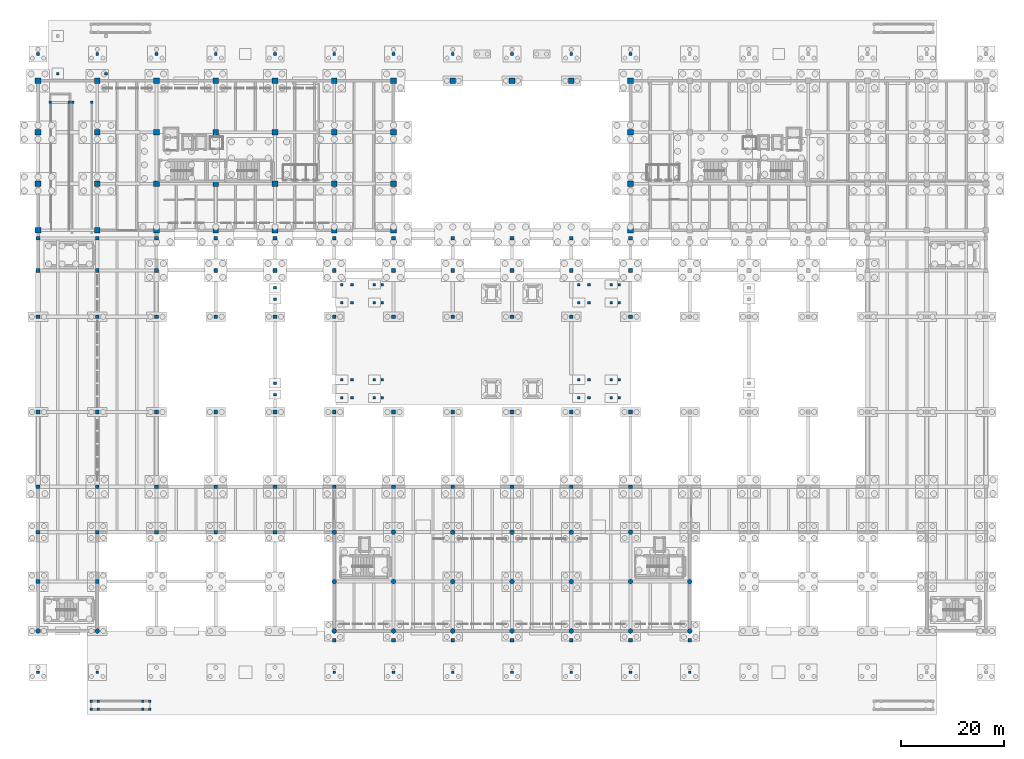
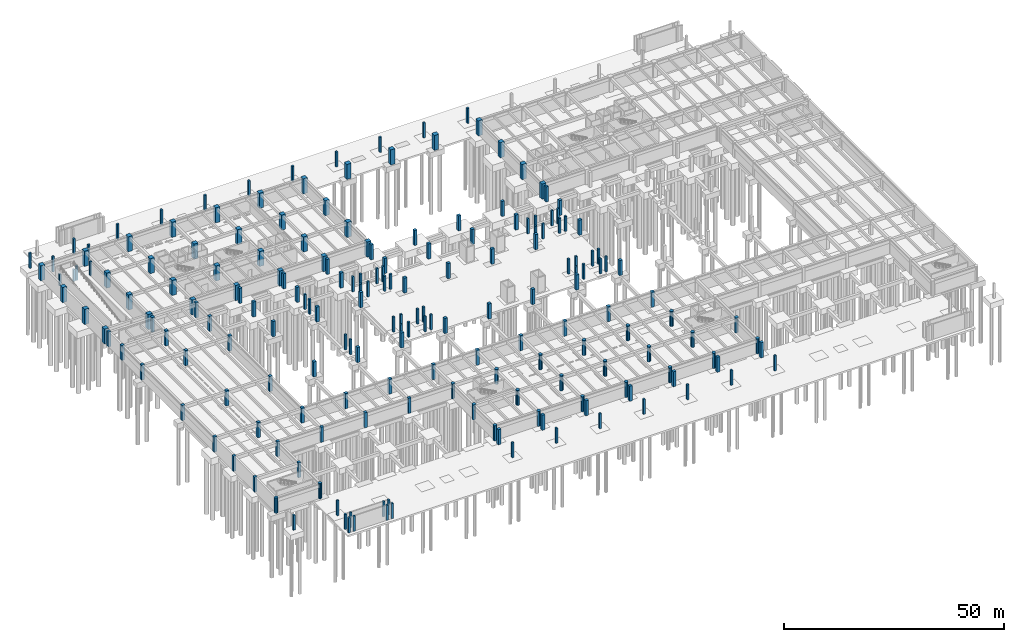
# One storey, part 8 of 28: 196 columns.
"""IFC4 building model written with IfcOpenShell, lengths in metres."""

from ifc_helpers import new_model, si_unit, direction, frame, origin, origin_2d, place, context, subcontext, project, spatial, rectangle, circle, extrude, material, material_profile, profile_set, type_object, element, save


model = new_model("IFC4")

# Units and contexts
model_context = context("Model", 3, precision=1e-05, world=origin(), true_north=direction((0.0, 1.0)))
body_context = subcontext(model_context, "Body", "Model", "MODEL_VIEW")
ifc_project = project(units=[si_unit("LENGTHUNIT", "METRE"), si_unit("AREAUNIT", "SQUARE_METRE"), si_unit("VOLUMEUNIT", "CUBIC_METRE"), si_unit("PLANEANGLEUNIT", "RADIAN"), si_unit("MASSUNIT", "GRAM", prefix="KILO")], contexts=[model_context])

# Site, building, storey
site_placement = place(None, origin())
site = spatial("IfcSite", under=ifc_project, at=site_placement, CompositionType="ELEMENT")
building_placement = place(site_placement, origin())
building = spatial("IfcBuilding", under=site, at=building_placement, Name="Ologun Quay Terminus", CompositionType="ELEMENT")
storey_placement = place(building_placement, frame((0.0, 0.0, -8.39990234375)))
storey = spatial("IfcBuildingStorey", under=building, at=storey_placement, Name="B02", CompositionType="ELEMENT", Elevation=-8.39990234375)

# Columns
ifc_material_1 = material(Name="Concrete C40/50", Category="concrete")
ifc_material_profile_1 = material_profile(ifc_material_1, rectangle(XDim=0.5, YDim=0.5, at=origin_2d()), Name="RC 500x500")
ifc_profile_set_1 = profile_set([ifc_material_profile_1], Name="Concrete C40/50")
column_type_1 = type_object("IfcColumnType", Name="Canopy Edge Column 500x500", PredefinedType="COLUMN", material=ifc_profile_set_1)
for number, where, z_axis, x_axis, name in (
    (1, (0.0, 0.0, 0.0), (0.0, 0.0, 1.0), (1.0, 0.0, 0.0), "C8 Column 1/A B02"),
    (2, (0.0, 120.0, 0.0), (0.0, 0.0, 1.0), (1.0, 0.0, 0.0), "C8 Column 1/L B02"),
    (3, (11.5, 0.0, 0.0), (0.0, 0.0, 1.0), (1.0, 0.0, 0.0), "C8 Column 2/A B02"),
    (4, (11.5, 120.0, 0.0), (0.0, 0.0, 1.0), (1.0, 0.0, 0.0), "C8 Column 2/L B02"),
    (5, (23.0, 120.0, 0.0), (0.0, 0.0, 1.0), (1.0, 0.0, 0.0), "C8 Column 3/L B02"),
    (6, (34.5, 120.0, 0.0), (0.0, 0.0, 1.0), (1.0, 0.0, 0.0), "C8 Column 4/L B02"),
    (7, (46.0, 120.0, 0.0), (0.0, 0.0, 1.0), (1.0, 0.0, 0.0), "C8 Column 5/L B02"),
    (8, (57.5, 0.0, 0.0), (0.0, 0.0, 1.0), (1.0, 0.0, 0.0), "C8 Column 6/A B02"),
    (9, (57.5, 120.0, 0.0), (0.0, 0.0, 1.0), (1.0, 0.0, 0.0), "C8 Column 6/L B02"),
    (10, (69.0, 0.0, 0.0), (0.0, 0.0, 1.0), (1.0, 0.0, 0.0), "C8 Column 7/A B02"),
    (11, (69.0, 120.0, 0.0), (0.0, 0.0, 1.0), (1.0, 0.0, 0.0), "C8 Column 7/L B02"),
    (12, (80.5, 0.0, 0.0), (0.0, 0.0, 1.0), (1.0, 0.0, 0.0), "C8 Column 8/A B02"),
    (13, (80.5, 120.0, 0.0), (0.0, 0.0, 1.0), (1.0, 0.0, 0.0), "C8 Column 8/L B02"),
    (14, (92.0, 0.0, 0.0), (0.0, 0.0, 1.0), (1.0, 0.0, 0.0), "C8 Column 9/A B02"),
    (15, (92.0, 120.0, 0.0), (0.0, 0.0, 1.0), (1.0, 0.0, 0.0), "C8 Column 9/L B02"),
    (16, (103.5, 0.0, 0.0), (0.0, 0.0, 1.0), (1.0, 0.0, 0.0), "C8 Column 10/A B02"),
    (17, (103.5, 120.0, 0.0), (0.0, 0.0, 1.0), (1.0, 0.0, 0.0), "C8 Column 10/L B02"),
    (18, (115.0, 0.0, 0.0), (0.0, 0.0, 1.0), (1.0, 0.0, 0.0), "C8 Column 11/A B02"),
    (19, (115.0, 120.0, 0.0), (0.0, 0.0, 1.0), (1.0, 0.0, 0.0), "C8 Column 11/L B02"),
    (20, (126.5, 0.0, 0.0), (0.0, 0.0, 1.0), (1.0, 0.0, 0.0), "C8 Column 12/A B02"),
    (21, (10.35009765625, -7.199951171875, 0.0), (0.0, 0.0, 1.0), (1.0, 0.0, 0.0), "C8 Ramp Landing Column 5WS B02"),
    (22, (10.35009765625, -5.60009765625, 0.0), (0.0, 0.0, 1.0), (1.0, 0.0, 0.0), "C8 Ramp Landing Column 5WN B02"),
    (23, (11.64990234375, -7.199951171875, 0.0), (0.0, 0.0, 1.0), (1.0, 0.0, 0.0), "C8 Ramp Landing Column 5ES B02"),
    (24, (11.64990234375, -5.60009765625, 0.0), (0.0, 0.0, 1.0), (1.0, 0.0, 0.0), "C8 Ramp Landing Column 5EN B02"),
    (25, (20.35009765625, -7.199951171875, 0.0), (0.0, 0.0, 1.0), (1.0, 0.0, 0.0), "C8 Ramp Landing Column 6WS B02"),
    (26, (20.35009765625, -5.60009765625, 0.0), (0.0, 0.0, 1.0), (1.0, 0.0, 0.0), "C8 Ramp Landing Column 6WN B02"),
    (27, (21.64990234375, -7.199951171875, 0.0), (0.0, 0.0, 1.0), (1.0, 0.0, 0.0), "C8 Ramp Landing Column 6ES B02"),
    (28, (21.64990234375, -5.60009765625, 0.0), (0.0, 0.0, 1.0), (1.0, 0.0, 0.0), "C8 Ramp Landing Column 6EN B02"),
    (29, (3.800048828125, 116.199951171875, 0.0), (0.0, 0.0, 1.0), (1.0, 0.0, 0.0), "C8 Driveway Apron Column 11 B02"),
    (30, (13.199951171875, 116.199951171875, 0.0), (0.0, 0.0, 1.0), (1.0, 0.0, 0.0), "C8 Driveway Apron Column 21 B02"),
):
    element("IfcColumn", number, at=place(storey_placement, frame(where, z_axis=z_axis, x_axis=x_axis)), inside=storey, type_object=column_type_1, Name=name, PredefinedType="COLUMN", context=body_context, shape_type="SweptSolid", body=[
        extrude(rectangle(XDim=0.5, YDim=0.5, at=origin_2d()), origin(), (0.0, 0.0, 1.0), 4.199951171875),
    ])
for number, where, z_axis, x_axis, name in (
    (31, (2.35009765625, 110.60009765625, 0.0), (0.0, 0.0, 1.0), (1.0, 0.0, 0.0), "C8 Ramp Header Column B02-1"),
    (32, (6.050048828125, 110.60009765625, 0.0), (0.0, 0.0, 1.0), (1.0, 0.0, 0.0), "C8 Ramp Header Column B02-2"),
):
    element("IfcColumn", number, at=place(storey_placement, frame(where, z_axis=z_axis, x_axis=x_axis)), inside=storey, type_object=column_type_1, Name=name, PredefinedType="COLUMN", context=body_context, shape_type="SweptSolid", body=[
        extrude(rectangle(XDim=0.5, YDim=0.5, at=origin_2d()), origin(), (0.0, 0.0, 1.0), 3.219970703125),
    ])
for number, where, z_axis, x_axis, name in (
    (33, (6.75, 110.60009765625, 0.0), (0.0, 0.0, 1.0), (1.0, 0.0, 0.0), "C8 Ramp Header Lower Column 1"),
    (34, (10.449951171875, 110.60009765625, 0.0), (0.0, 0.0, 1.0), (1.0, 0.0, 0.0), "C8 Ramp Header Lower Column 2"),
):
    element("IfcColumn", number, at=place(storey_placement, frame(where, z_axis=z_axis, x_axis=x_axis)), inside=storey, type_object=column_type_1, Name=name, PredefinedType="COLUMN", context=body_context, shape_type="SweptSolid", body=[
        extrude(rectangle(XDim=0.5, YDim=0.5, at=origin_2d()), origin(), (0.0, 0.0, 1.0), 3.919921875),
    ])
for number, where, z_axis, x_axis, name in (
    (35, (58.949951171875, 53.25, 0.0), (0.0, 0.0, 1.0), (1.0, 0.0, 0.0), "C8 Platform Stair Substructure Column ST-P1-LS B02"),
    (36, (58.949951171875, 56.75, 0.0), (0.0, 0.0, 1.0), (1.0, 0.0, 0.0), "C8 Platform Stair Substructure Column ST-P1-LN B02"),
    (37, (60.949951171875, 53.25, 0.0), (0.0, 0.0, 1.0), (1.0, 0.0, 0.0), "C8 Platform Stair Substructure Column ST-P1-AS B02"),
    (38, (60.949951171875, 56.75, 0.0), (0.0, 0.0, 1.0), (1.0, 0.0, 0.0), "C8 Platform Stair Substructure Column ST-P1-AN B02"),
    (39, (65.300048828125, 53.25, 0.0), (0.0, 0.0, 1.0), (1.0, 0.0, 0.0), "C8 Platform Stair Substructure Column ST-P1-BS B02"),
    (40, (65.300048828125, 56.75, 0.0), (0.0, 0.0, 1.0), (1.0, 0.0, 0.0), "C8 Platform Stair Substructure Column ST-P1-BN B02"),
    (41, (66.85009765625, 53.25, 0.0), (0.0, 0.0, 1.0), (1.0, 0.0, 0.0), "C8 Platform Stair Substructure Column ST-P1-CS B02"),
    (42, (66.85009765625, 56.75, 0.0), (0.0, 0.0, 1.0), (1.0, 0.0, 0.0), "C8 Platform Stair Substructure Column ST-P1-CN B02"),
    (43, (104.949951171875, 53.25, 0.0), (0.0, 0.0, 1.0), (1.0, 0.0, 0.0), "C8 Platform Stair Substructure Column ST-P2-LS B02"),
    (44, (104.949951171875, 56.75, 0.0), (0.0, 0.0, 1.0), (1.0, 0.0, 0.0), "C8 Platform Stair Substructure Column ST-P2-LN B02"),
    (45, (106.949951171875, 53.25, 0.0), (0.0, 0.0, 1.0), (1.0, 0.0, 0.0), "C8 Platform Stair Substructure Column ST-P2-AS B02"),
    (46, (106.949951171875, 56.75, 0.0), (0.0, 0.0, 1.0), (1.0, 0.0, 0.0), "C8 Platform Stair Substructure Column ST-P2-AN B02"),
    (47, (111.300048828125, 53.25, 0.0), (0.0, 0.0, 1.0), (1.0, 0.0, 0.0), "C8 Platform Stair Substructure Column ST-P2-BS B02"),
    (48, (111.300048828125, 56.75, 0.0), (0.0, 0.0, 1.0), (1.0, 0.0, 0.0), "C8 Platform Stair Substructure Column ST-P2-BN B02"),
    (49, (112.85009765625, 53.25, 0.0), (0.0, 0.0, 1.0), (1.0, 0.0, 0.0), "C8 Platform Stair Substructure Column ST-P2-CS B02"),
    (50, (112.85009765625, 56.75, 0.0), (0.0, 0.0, 1.0), (1.0, 0.0, 0.0), "C8 Platform Stair Substructure Column ST-P2-CN B02"),
    (51, (58.949951171875, 71.75, 0.0), (0.0, 0.0, 1.0), (1.0, 0.0, 0.0), "C8 Platform Stair Substructure Column ST-P3-LS B02"),
    (52, (58.949951171875, 75.25, 0.0), (0.0, 0.0, 1.0), (1.0, 0.0, 0.0), "C8 Platform Stair Substructure Column ST-P3-LN B02"),
    (53, (60.949951171875, 71.75, 0.0), (0.0, 0.0, 1.0), (1.0, 0.0, 0.0), "C8 Platform Stair Substructure Column ST-P3-AS B02"),
    (54, (60.949951171875, 75.25, 0.0), (0.0, 0.0, 1.0), (1.0, 0.0, 0.0), "C8 Platform Stair Substructure Column ST-P3-AN B02"),
    (55, (65.300048828125, 71.75, 0.0), (0.0, 0.0, 1.0), (1.0, 0.0, 0.0), "C8 Platform Stair Substructure Column ST-P3-BS B02"),
    (56, (65.300048828125, 75.25, 0.0), (0.0, 0.0, 1.0), (1.0, 0.0, 0.0), "C8 Platform Stair Substructure Column ST-P3-BN B02"),
    (57, (66.85009765625, 71.75, 0.0), (0.0, 0.0, 1.0), (1.0, 0.0, 0.0), "C8 Platform Stair Substructure Column ST-P3-CS B02"),
    (58, (66.85009765625, 75.25, 0.0), (0.0, 0.0, 1.0), (1.0, 0.0, 0.0), "C8 Platform Stair Substructure Column ST-P3-CN B02"),
    (59, (104.949951171875, 71.75, 0.0), (0.0, 0.0, 1.0), (1.0, 0.0, 0.0), "C8 Platform Stair Substructure Column ST-P4-LS B02"),
    (60, (104.949951171875, 75.25, 0.0), (0.0, 0.0, 1.0), (1.0, 0.0, 0.0), "C8 Platform Stair Substructure Column ST-P4-LN B02"),
    (61, (106.949951171875, 71.75, 0.0), (0.0, 0.0, 1.0), (1.0, 0.0, 0.0), "C8 Platform Stair Substructure Column ST-P4-AS B02"),
    (62, (106.949951171875, 75.25, 0.0), (0.0, 0.0, 1.0), (1.0, 0.0, 0.0), "C8 Platform Stair Substructure Column ST-P4-AN B02"),
    (63, (111.300048828125, 71.75, 0.0), (0.0, 0.0, 1.0), (1.0, 0.0, 0.0), "C8 Platform Stair Substructure Column ST-P4-BS B02"),
    (64, (111.300048828125, 75.25, 0.0), (0.0, 0.0, 1.0), (1.0, 0.0, 0.0), "C8 Platform Stair Substructure Column ST-P4-BN B02"),
    (65, (112.85009765625, 71.75, 0.0), (0.0, 0.0, 1.0), (1.0, 0.0, 0.0), "C8 Platform Stair Substructure Column ST-P4-CS B02"),
    (66, (112.85009765625, 75.25, 0.0), (0.0, 0.0, 1.0), (1.0, 0.0, 0.0), "C8 Platform Stair Substructure Column ST-P4-CN B02"),
    (67, (46.0, 53.89990234375, 0.0), (0.0, 0.0, 1.0), (1.0, 0.0, 0.0), "C8 Concourse Trimmer Column 5-1 B02"),
    (68, (46.0, 56.10009765625, 0.0), (0.0, 0.0, 1.0), (1.0, 0.0, 0.0), "C8 Concourse Trimmer Column 5-2 B02"),
    (69, (46.0, 72.39990234375, 0.0), (0.0, 0.0, 1.0), (1.0, 0.0, 0.0), "C8 Concourse Trimmer Column 5-3 B02"),
    (70, (46.0, 74.60009765625, 0.0), (0.0, 0.0, 1.0), (1.0, 0.0, 0.0), "C8 Concourse Trimmer Column 5-4 B02"),
):
    element("IfcColumn", number, at=place(storey_placement, frame(where, z_axis=z_axis, x_axis=x_axis)), inside=storey, type_object=column_type_1, Name=name, PredefinedType="COLUMN", context=body_context, shape_type="SweptSolid", body=[
        extrude(rectangle(XDim=0.5, YDim=0.5, at=origin_2d()), origin(), (0.0, 0.0, 1.0), 4.199951171875),
    ])
ifc_material_2 = material(Name="Concrete C45/55", Category="concrete")
ifc_material_profile_2 = material_profile(ifc_material_2, rectangle(XDim=1.10009765625, YDim=1.10009765625, at=origin_2d()), Name="RC 1100x1100")
ifc_profile_set_2 = profile_set([ifc_material_profile_2], Name="Concrete C45/55")
column_type_2 = type_object("IfcColumnType", Name="Courtyard Wing Lower Column 1100x1100", PredefinedType="COLUMN", material=ifc_profile_set_2)
for number, where, z_axis, x_axis, name in (
    (71, (0.0, 85.800048828125, 0.0), (0.0, 0.0, 1.0), (1.0, 0.0, 0.0), "C1 Column 1/G2 B02"),
    (72, (0.0, 94.800048828125, 0.0), (0.0, 0.0, 1.0), (1.0, 0.0, 0.0), "C1 Column 1/H B02"),
    (73, (0.0, 104.800048828125, 0.0), (0.0, 0.0, 1.0), (1.0, 0.0, 0.0), "C1 Column 1/J B02"),
    (74, (0.0, 114.800048828125, 0.0), (0.0, 0.0, 1.0), (1.0, 0.0, 0.0), "C1 Column 1/K B02"),
    (75, (11.5, 85.800048828125, 0.0), (0.0, 0.0, 1.0), (1.0, 0.0, 0.0), "C1 Column 2/G2 B02"),
    (76, (11.5, 94.800048828125, 0.0), (0.0, 0.0, 1.0), (1.0, 0.0, 0.0), "C1 Column 2/H B02"),
    (77, (11.5, 104.800048828125, 0.0), (0.0, 0.0, 1.0), (1.0, 0.0, 0.0), "C1 Column 2/J B02"),
    (78, (11.5, 114.800048828125, 0.0), (0.0, 0.0, 1.0), (1.0, 0.0, 0.0), "C1 Column 2/K B02"),
    (79, (23.0, 85.800048828125, 0.0), (0.0, 0.0, 1.0), (1.0, 0.0, 0.0), "C1 Column 3/G2 B02"),
    (80, (23.0, 94.800048828125, 0.0), (0.0, 0.0, 1.0), (1.0, 0.0, 0.0), "C1 Column 3/H B02"),
    (81, (23.0, 104.800048828125, 0.0), (0.0, 0.0, 1.0), (1.0, 0.0, 0.0), "C1 Column 3/J B02"),
    (82, (23.0, 114.800048828125, 0.0), (0.0, 0.0, 1.0), (1.0, 0.0, 0.0), "C1 Column 3/K B02"),
    (83, (34.5, 85.800048828125, 0.0), (0.0, 0.0, 1.0), (1.0, 0.0, 0.0), "C1 Column 4/G2 B02"),
    (84, (34.5, 94.800048828125, 0.0), (0.0, 0.0, 1.0), (1.0, 0.0, 0.0), "C1 Column 4/H B02"),
    (85, (34.5, 104.800048828125, 0.0), (0.0, 0.0, 1.0), (1.0, 0.0, 0.0), "C1 Column 4/J B02"),
    (86, (34.5, 114.800048828125, 0.0), (0.0, 0.0, 1.0), (1.0, 0.0, 0.0), "C1 Column 4/K B02"),
    (87, (46.0, 85.800048828125, 0.0), (0.0, 0.0, 1.0), (1.0, 0.0, 0.0), "C1 Column 5/G2 B02"),
    (88, (46.0, 94.800048828125, 0.0), (0.0, 0.0, 1.0), (1.0, 0.0, 0.0), "C1 Column 5/H B02"),
    (89, (46.0, 104.800048828125, 0.0), (0.0, 0.0, 1.0), (1.0, 0.0, 0.0), "C1 Column 5/J B02"),
    (90, (46.0, 114.800048828125, 0.0), (0.0, 0.0, 1.0), (1.0, 0.0, 0.0), "C1 Column 5/K B02"),
    (91, (57.5, 85.800048828125, 0.0), (0.0, 0.0, 1.0), (1.0, 0.0, 0.0), "C1 Column 6/G2 B02"),
    (92, (57.5, 94.800048828125, 0.0), (0.0, 0.0, 1.0), (1.0, 0.0, 0.0), "C1 Column 6/H B02"),
    (93, (57.5, 104.800048828125, 0.0), (0.0, 0.0, 1.0), (1.0, 0.0, 0.0), "C1 Column 6/J B02"),
    (94, (57.5, 114.800048828125, 0.0), (0.0, 0.0, 1.0), (1.0, 0.0, 0.0), "C1 Column 6/K B02"),
    (95, (69.0, 85.800048828125, 0.0), (0.0, 0.0, 1.0), (1.0, 0.0, 0.0), "C1 Column 7/G2 B02"),
    (96, (69.0, 94.800048828125, 0.0), (0.0, 0.0, 1.0), (1.0, 0.0, 0.0), "C1 Column 7/H B02"),
    (97, (69.0, 104.800048828125, 0.0), (0.0, 0.0, 1.0), (1.0, 0.0, 0.0), "C1 Column 7/J B02"),
    (98, (69.0, 114.800048828125, 0.0), (0.0, 0.0, 1.0), (1.0, 0.0, 0.0), "C1 Column 7/K B02"),
    (99, (115.0, 85.800048828125, 0.0), (0.0, 0.0, 1.0), (1.0, 0.0, 0.0), "C1 Column 11/G2 B02"),
    (100, (115.0, 94.800048828125, 0.0), (0.0, 0.0, 1.0), (1.0, 0.0, 0.0), "C1 Column 11/H B02"),
    (101, (115.0, 104.800048828125, 0.0), (0.0, 0.0, 1.0), (1.0, 0.0, 0.0), "C1 Column 11/J B02"),
    (102, (115.0, 114.800048828125, 0.0), (0.0, 0.0, 1.0), (1.0, 0.0, 0.0), "C1 Column 11/K B02"),
    (103, (80.5, 114.800048828125, 0.0), (0.0, 0.0, 1.0), (1.0, 0.0, 0.0), "C1 Colonnade Substructure Column 8/K B02"),
    (104, (92.0, 114.800048828125, 0.0), (0.0, 0.0, 1.0), (1.0, 0.0, 0.0), "C1 Colonnade Substructure Column 9/K B02"),
    (105, (103.5, 114.800048828125, 0.0), (0.0, 0.0, 1.0), (1.0, 0.0, 0.0), "C1 Colonnade Substructure Column 10/K B02"),
):
    element("IfcColumn", number, at=place(storey_placement, frame(where, z_axis=z_axis, x_axis=x_axis)), inside=storey, type_object=column_type_2, Name=name, PredefinedType="COLUMN", context=body_context, shape_type="SweptSolid", body=[
        extrude(rectangle(XDim=1.10009765625, YDim=1.10009765625, at=origin_2d()), origin(), (0.0, 0.0, 1.0), 4.199951171875),
    ])
ifc_material_3 = material(Name="Concrete C45/55", Category="concrete")
ifc_material_profile_3 = material_profile(ifc_material_3, rectangle(XDim=0.75, YDim=0.75, at=origin_2d()), Name="RC 750x750")
ifc_profile_set_3 = profile_set([ifc_material_profile_3], Name="Concrete C45/55")
column_type_3 = type_object("IfcColumnType", Name="Station Arch Pier Stem 750x750", PredefinedType="COLUMN", material=ifc_profile_set_3)
for number, where, z_axis, x_axis, name in (
    (106, (0.0, 36.0, 0.0), (0.0, 0.0, 1.0), (1.0, 0.0, 0.0), "C5 Column 1/E B02"),
    (107, (0.0, 78.0, 0.0), (0.0, 0.0, 1.0), (1.0, 0.0, 0.0), "C5 Column 1/F B02"),
    (108, (11.5, 36.0, 0.0), (0.0, 0.0, 1.0), (1.0, 0.0, 0.0), "C5 Column 2/E B02"),
    (109, (11.5, 78.0, 0.0), (0.0, 0.0, 1.0), (1.0, 0.0, 0.0), "C5 Column 2/F B02"),
    (110, (23.0, 36.0, 0.0), (0.0, 0.0, 1.0), (1.0, 0.0, 0.0), "C5 Column 3/E B02"),
    (111, (23.0, 78.0, 0.0), (0.0, 0.0, 1.0), (1.0, 0.0, 0.0), "C5 Column 3/F B02"),
    (112, (34.5, 36.0, 0.0), (0.0, 0.0, 1.0), (1.0, 0.0, 0.0), "C5 Column 4/E B02"),
    (113, (34.5, 78.0, 0.0), (0.0, 0.0, 1.0), (1.0, 0.0, 0.0), "C5 Column 4/F B02"),
    (114, (46.0, 36.0, 0.0), (0.0, 0.0, 1.0), (1.0, 0.0, 0.0), "C5 Column 5/E B02"),
    (115, (46.0, 78.0, 0.0), (0.0, 0.0, 1.0), (1.0, 0.0, 0.0), "C5 Column 5/F B02"),
    (116, (57.5, 36.0, 0.0), (0.0, 0.0, 1.0), (1.0, 0.0, 0.0), "C5 Column 6/E B02"),
    (117, (57.5, 78.0, 0.0), (0.0, 0.0, 1.0), (1.0, 0.0, 0.0), "C5 Column 6/F B02"),
    (118, (69.0, 36.0, 0.0), (0.0, 0.0, 1.0), (1.0, 0.0, 0.0), "C5 Column 7/E B02"),
    (119, (69.0, 78.0, 0.0), (0.0, 0.0, 1.0), (1.0, 0.0, 0.0), "C5 Column 7/F B02"),
    (120, (80.5, 36.0, 0.0), (0.0, 0.0, 1.0), (1.0, 0.0, 0.0), "C5 Column 8/E B02"),
    (121, (80.5, 78.0, 0.0), (0.0, 0.0, 1.0), (1.0, 0.0, 0.0), "C5 Column 8/F B02"),
    (122, (92.0, 36.0, 0.0), (0.0, 0.0, 1.0), (1.0, 0.0, 0.0), "C5 Column 9/E B02"),
    (123, (92.0, 78.0, 0.0), (0.0, 0.0, 1.0), (1.0, 0.0, 0.0), "C5 Column 9/F B02"),
    (124, (103.5, 36.0, 0.0), (0.0, 0.0, 1.0), (1.0, 0.0, 0.0), "C5 Column 10/E B02"),
    (125, (103.5, 78.0, 0.0), (0.0, 0.0, 1.0), (1.0, 0.0, 0.0), "C5 Column 10/F B02"),
    (126, (115.0, 36.0, 0.0), (0.0, 0.0, 1.0), (1.0, 0.0, 0.0), "C5 Column 11/E B02"),
    (127, (115.0, 78.0, 0.0), (0.0, 0.0, 1.0), (1.0, 0.0, 0.0), "C5 Column 11/F B02"),
    (128, (0.0, 50.5, 0.0), (0.0, 0.0, 1.0), (1.0, 0.0, 0.0), "C5 Track Substructure Column 1-Y50 B02"),
    (129, (0.0, 69.0, 0.0), (0.0, 0.0, 1.0), (1.0, 0.0, 0.0), "C5 Track Substructure Column 1-Y69 B02"),
    (130, (11.5, 50.5, 0.0), (0.0, 0.0, 1.0), (1.0, 0.0, 0.0), "C5 Track Substructure Column 2-Y50 B02"),
    (131, (11.5, 69.0, 0.0), (0.0, 0.0, 1.0), (1.0, 0.0, 0.0), "C5 Track Substructure Column 2-Y69 B02"),
    (132, (23.0, 50.5, 0.0), (0.0, 0.0, 1.0), (1.0, 0.0, 0.0), "C5 Track Substructure Column 3-Y50 B02"),
    (133, (23.0, 69.0, 0.0), (0.0, 0.0, 1.0), (1.0, 0.0, 0.0), "C5 Track Substructure Column 3-Y69 B02"),
    (134, (34.5, 50.5, 0.0), (0.0, 0.0, 1.0), (1.0, 0.0, 0.0), "C5 Track Substructure Column 4-Y50 B02"),
    (135, (34.5, 69.0, 0.0), (0.0, 0.0, 1.0), (1.0, 0.0, 0.0), "C5 Track Substructure Column 4-Y69 B02"),
    (136, (46.0, 50.5, 0.0), (0.0, 0.0, 1.0), (1.0, 0.0, 0.0), "C5 Track Substructure Column 5-Y50 B02"),
    (137, (46.0, 69.0, 0.0), (0.0, 0.0, 1.0), (1.0, 0.0, 0.0), "C5 Track Substructure Column 5-Y69 B02"),
    (138, (57.5, 50.5, 0.0), (0.0, 0.0, 1.0), (1.0, 0.0, 0.0), "C5 Track Substructure Column 6-Y50 B02"),
    (139, (57.5, 69.0, 0.0), (0.0, 0.0, 1.0), (1.0, 0.0, 0.0), "C5 Track Substructure Column 6-Y69 B02"),
    (140, (69.0, 50.5, 0.0), (0.0, 0.0, 1.0), (1.0, 0.0, 0.0), "C5 Track Substructure Column 7-Y50 B02"),
    (141, (69.0, 69.0, 0.0), (0.0, 0.0, 1.0), (1.0, 0.0, 0.0), "C5 Track Substructure Column 7-Y69 B02"),
    (142, (80.5, 50.5, 0.0), (0.0, 0.0, 1.0), (1.0, 0.0, 0.0), "C5 Track Substructure Column 8-Y50 B02"),
    (143, (80.5, 69.0, 0.0), (0.0, 0.0, 1.0), (1.0, 0.0, 0.0), "C5 Track Substructure Column 8-Y69 B02"),
    (144, (92.0, 50.5, 0.0), (0.0, 0.0, 1.0), (1.0, 0.0, 0.0), "C5 Track Substructure Column 9-Y50 B02"),
    (145, (92.0, 69.0, 0.0), (0.0, 0.0, 1.0), (1.0, 0.0, 0.0), "C5 Track Substructure Column 9-Y69 B02"),
    (146, (103.5, 50.5, 0.0), (0.0, 0.0, 1.0), (1.0, 0.0, 0.0), "C5 Track Substructure Column 10-Y50 B02"),
    (147, (103.5, 69.0, 0.0), (0.0, 0.0, 1.0), (1.0, 0.0, 0.0), "C5 Track Substructure Column 10-Y69 B02"),
    (148, (115.0, 50.5, 0.0), (0.0, 0.0, 1.0), (1.0, 0.0, 0.0), "C5 Track Substructure Column 11-Y50 B02"),
    (149, (115.0, 69.0, 0.0), (0.0, 0.0, 1.0), (1.0, 0.0, 0.0), "C5 Track Substructure Column 11-Y69 B02"),
    (150, (57.5, 6.199951171875, 0.0), (0.0, 0.0, 1.0), (1.0, 0.0, 0.0), "C5 Portal Rib Substructure Pier 6 B02"),
    (151, (69.0, 6.199951171875, 0.0), (0.0, 0.0, 1.0), (1.0, 0.0, 0.0), "C5 Portal Rib Substructure Pier 7 B02"),
    (152, (80.5, 6.199951171875, 0.0), (0.0, 0.0, 1.0), (1.0, 0.0, 0.0), "C5 Portal Rib Substructure Pier 8 B02"),
    (153, (92.0, 6.199951171875, 0.0), (0.0, 0.0, 1.0), (1.0, 0.0, 0.0), "C5 Portal Rib Substructure Pier 9 B02"),
    (154, (103.5, 6.199951171875, 0.0), (0.0, 0.0, 1.0), (1.0, 0.0, 0.0), "C5 Portal Rib Substructure Pier 10 B02"),
    (155, (115.0, 6.199951171875, 0.0), (0.0, 0.0, 1.0), (1.0, 0.0, 0.0), "C5 Portal Rib Substructure Pier 11 B02"),
    (156, (126.5, 6.199951171875, 0.0), (0.0, 0.0, 1.0), (1.0, 0.0, 0.0), "C5 Portal Rib Substructure Pier 12 B02"),
):
    element("IfcColumn", number, at=place(storey_placement, frame(where, z_axis=z_axis, x_axis=x_axis)), inside=storey, type_object=column_type_3, Name=name, PredefinedType="COLUMN", context=body_context, shape_type="SweptSolid", body=[
        extrude(rectangle(XDim=0.75, YDim=0.75, at=origin_2d()), origin(), (0.0, 0.0, 1.0), 4.199951171875),
    ])
ifc_material_4 = material(Name="Concrete C40/50", Category="concrete")
ifc_material_profile_4 = material_profile(ifc_material_4, rectangle(XDim=0.699951171875, YDim=0.699951171875, at=origin_2d()), Name="RC 700x700")
ifc_profile_set_4 = profile_set([ifc_material_profile_4], Name="Concrete C40/50")
column_type_4 = type_object("IfcColumnType", Name="Station Concourse Column 700x700", PredefinedType="COLUMN", material=ifc_profile_set_4)
for number, where, z_axis, x_axis, name in (
    (157, (0.0, 17.60009765625, 0.0), (0.0, 0.0, 1.0), (1.0, 0.0, 0.0), "C6 Column 1/C B02"),
    (158, (0.0, 27.199951171875, 0.0), (0.0, 0.0, 1.0), (1.0, 0.0, 0.0), "C6 Column 1/D B02"),
    (159, (0.0, 84.199951171875, 0.0), (0.0, 0.0, 1.0), (1.0, 0.0, 0.0), "C6 Column 1/G1 B02"),
    (160, (11.5, 17.60009765625, 0.0), (0.0, 0.0, 1.0), (1.0, 0.0, 0.0), "C6 Column 2/C B02"),
    (161, (11.5, 27.199951171875, 0.0), (0.0, 0.0, 1.0), (1.0, 0.0, 0.0), "C6 Column 2/D B02"),
    (162, (11.5, 84.199951171875, 0.0), (0.0, 0.0, 1.0), (1.0, 0.0, 0.0), "C6 Column 2/G1 B02"),
    (163, (23.0, 27.199951171875, 0.0), (0.0, 0.0, 1.0), (1.0, 0.0, 0.0), "C6 Column 3/D B02"),
    (164, (23.0, 84.199951171875, 0.0), (0.0, 0.0, 1.0), (1.0, 0.0, 0.0), "C6 Column 3/G1 B02"),
    (165, (34.5, 27.199951171875, 0.0), (0.0, 0.0, 1.0), (1.0, 0.0, 0.0), "C6 Column 4/D B02"),
    (166, (34.5, 84.199951171875, 0.0), (0.0, 0.0, 1.0), (1.0, 0.0, 0.0), "C6 Column 4/G1 B02"),
    (167, (46.0, 27.199951171875, 0.0), (0.0, 0.0, 1.0), (1.0, 0.0, 0.0), "C6 Column 5/D B02"),
    (168, (46.0, 84.199951171875, 0.0), (0.0, 0.0, 1.0), (1.0, 0.0, 0.0), "C6 Column 5/G1 B02"),
    (169, (57.5, 84.199951171875, 0.0), (0.0, 0.0, 1.0), (1.0, 0.0, 0.0), "C6 Column 6/G1 B02"),
    (170, (69.0, 84.199951171875, 0.0), (0.0, 0.0, 1.0), (1.0, 0.0, 0.0), "C6 Column 7/G1 B02"),
    (171, (80.5, 84.199951171875, 0.0), (0.0, 0.0, 1.0), (1.0, 0.0, 0.0), "C6 Column 8/G1 B02"),
    (172, (92.0, 84.199951171875, 0.0), (0.0, 0.0, 1.0), (1.0, 0.0, 0.0), "C6 Column 9/G1 B02"),
    (173, (103.5, 84.199951171875, 0.0), (0.0, 0.0, 1.0), (1.0, 0.0, 0.0), "C6 Column 10/G1 B02"),
    (174, (115.0, 84.199951171875, 0.0), (0.0, 0.0, 1.0), (1.0, 0.0, 0.0), "C6 Column 11/G1 B02"),
):
    element("IfcColumn", number, at=place(storey_placement, frame(where, z_axis=z_axis, x_axis=x_axis)), inside=storey, type_object=column_type_4, Name=name, PredefinedType="COLUMN", context=body_context, shape_type="SweptSolid", body=[
        extrude(rectangle(XDim=0.699951171875, YDim=0.699951171875, at=origin_2d()), origin(), (0.0, 0.0, 1.0), 4.199951171875),
    ])
ifc_material_5 = material(Name="Concrete C45/55", Category="concrete")
ifc_material_profile_5 = material_profile(ifc_material_5, circle(Radius=0.449951171875, at=origin_2d()), Name="RC D900")
ifc_profile_set_5 = profile_set([ifc_material_profile_5], Name="Concrete C45/55")
column_type_5 = type_object("IfcColumnType", Name="Ticket Hall Sculpted Circular Column D900", PredefinedType="COLUMN", material=ifc_profile_set_5)
for number, where, z_axis, x_axis, name in (
    (175, (0.0, 8.0, 0.0), (0.0, 0.0, 1.0), (1.0, 0.0, 0.0), "C9 Column 1/B B02"),
    (176, (11.5, 8.0, 0.0), (0.0, 0.0, 1.0), (1.0, 0.0, 0.0), "C9 Column 2/B B02"),
    (177, (57.5, 8.0, 0.0), (0.0, 0.0, 1.0), (1.0, 0.0, 0.0), "C9 Column 6/B B02"),
    (178, (57.5, 17.60009765625, 0.0), (0.0, 0.0, 1.0), (1.0, 0.0, 0.0), "C9 Column 6/C B02"),
    (179, (57.5, 27.199951171875, 0.0), (0.0, 0.0, 1.0), (1.0, 0.0, 0.0), "C9 Column 6/D B02"),
    (180, (69.0, 8.0, 0.0), (0.0, 0.0, 1.0), (1.0, 0.0, 0.0), "C9 Column 7/B B02"),
    (181, (69.0, 17.60009765625, 0.0), (0.0, 0.0, 1.0), (1.0, 0.0, 0.0), "C9 Column 7/C B02"),
    (182, (69.0, 27.199951171875, 0.0), (0.0, 0.0, 1.0), (1.0, 0.0, 0.0), "C9 Column 7/D B02"),
    (183, (80.5, 8.0, 0.0), (0.0, 0.0, 1.0), (1.0, 0.0, 0.0), "C9 Column 8/B B02"),
    (184, (80.5, 17.60009765625, 0.0), (0.0, 0.0, 1.0), (1.0, 0.0, 0.0), "C9 Column 8/C B02"),
    (185, (80.5, 27.199951171875, 0.0), (0.0, 0.0, 1.0), (1.0, 0.0, 0.0), "C9 Column 8/D B02"),
    (186, (92.0, 8.0, 0.0), (0.0, 0.0, 1.0), (1.0, 0.0, 0.0), "C9 Column 9/B B02"),
    (187, (92.0, 17.60009765625, 0.0), (0.0, 0.0, 1.0), (1.0, 0.0, 0.0), "C9 Column 9/C B02"),
    (188, (92.0, 27.199951171875, 0.0), (0.0, 0.0, 1.0), (1.0, 0.0, 0.0), "C9 Column 9/D B02"),
    (189, (103.5, 8.0, 0.0), (0.0, 0.0, 1.0), (1.0, 0.0, 0.0), "C9 Column 10/B B02"),
    (190, (103.5, 17.60009765625, 0.0), (0.0, 0.0, 1.0), (1.0, 0.0, 0.0), "C9 Column 10/C B02"),
    (191, (103.5, 27.199951171875, 0.0), (0.0, 0.0, 1.0), (1.0, 0.0, 0.0), "C9 Column 10/D B02"),
    (192, (115.0, 8.0, 0.0), (0.0, 0.0, 1.0), (1.0, 0.0, 0.0), "C9 Column 11/B B02"),
    (193, (115.0, 17.60009765625, 0.0), (0.0, 0.0, 1.0), (1.0, 0.0, 0.0), "C9 Column 11/C B02"),
    (194, (115.0, 27.199951171875, 0.0), (0.0, 0.0, 1.0), (1.0, 0.0, 0.0), "C9 Column 11/D B02"),
    (195, (126.5, 8.0, 0.0), (0.0, 0.0, 1.0), (1.0, 0.0, 0.0), "C9 Column 12/B B02"),
    (196, (126.5, 17.60009765625, 0.0), (0.0, 0.0, 1.0), (1.0, 0.0, 0.0), "C9 Column 12/C B02"),
):
    element("IfcColumn", number, at=place(storey_placement, frame(where, z_axis=z_axis, x_axis=x_axis)), inside=storey, type_object=column_type_5, Name=name, PredefinedType="COLUMN", context=body_context, shape_type="SweptSolid", body=[
        extrude(circle(Radius=0.449951171875, at=origin_2d()), origin(), (0.0, 0.0, 1.0), 4.199951171875),
    ])

save(model, "model.ifc")
